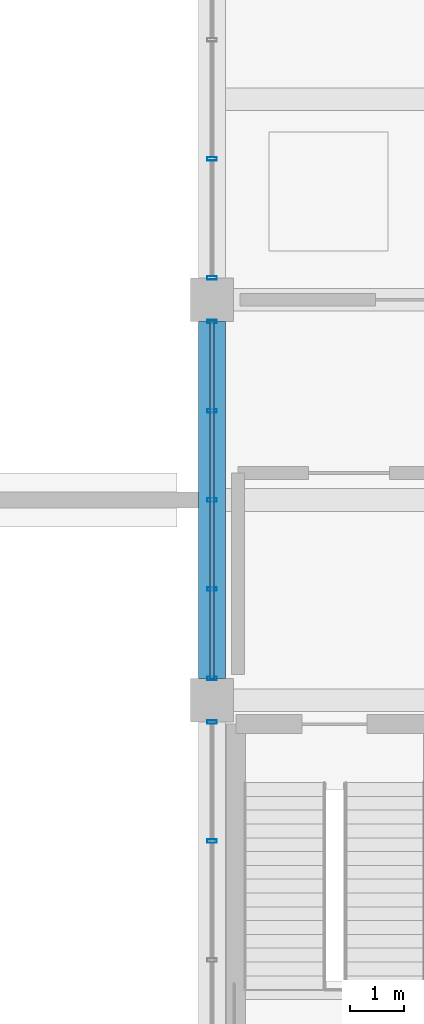
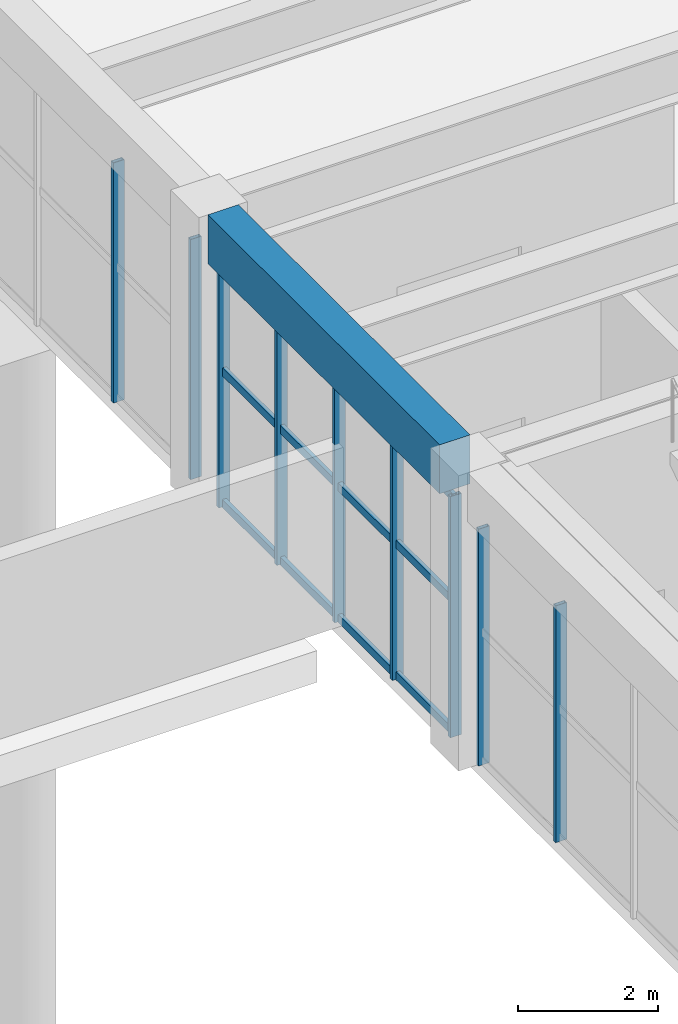
# One storey, part 71 of 140: 12 members, 1 beam, 3 elements without a shape of their own.
"""IFC4 building model written with IfcOpenShell, lengths in metres."""

import ifcopenshell
import ifcopenshell.guid

model = None  # the IFC model being written
_history = None  # IfcOwnerHistory: only IFC2X3 demands one
_inside = {}  # id of a spatial element -> (the spatial element, [elements in it])
_under = {}  # id of a project, library or spatial element -> (it, [spatial elements below it])
_declared = {}  # id of a project -> (the project, [libraries it declares])
_typed = {}  # id of a type object -> (the type object, [elements of that type])
_made_of = {}  # id of a material, layer set ... -> (it, [elements and type objects made of it])


def new_model(schema):
    """Start an empty IFC model of exactly this schema.

    Asked for "IFC4X3", IfcOpenShell would pick the latest addendum, in which some entities
    have other attributes; the version numbers below select the first issue.
    IFC2X3 requires an IfcOwnerHistory on every rooted entity: one is made here for all.
    """
    global model, _history
    if schema == "IFC4X3":
        model = ifcopenshell.file(schema_version=(4, 3, 0, 0))
    else:
        model = ifcopenshell.file(schema=schema)
    _inside.clear()
    _under.clear()
    _declared.clear()
    _typed.clear()
    _made_of.clear()
    _history = None
    if model.schema == "IFC2X3":
        org = make("IfcOrganization", Name="unknown")
        user = make(
            "IfcPersonAndOrganization",
            ThePerson=make("IfcPerson", FamilyName="unknown"),
            TheOrganization=org,
        )
        app = make(
            "IfcApplication",
            ApplicationDeveloper=org,
            Version="unknown",
            ApplicationFullName="unknown",
            ApplicationIdentifier="unknown",
        )
        _history = make(
            "IfcOwnerHistory",
            OwningUser=user,
            OwningApplication=app,
            ChangeAction="ADDED",
            CreationDate=0,
        )
    return model


def make(cls, **values):
    """One entity of the class cls with the attributes given. An attribute that is None is left unset."""
    return model.create_entity(
        cls, **{name: value for name, value in values.items() if value is not None}
    )


def rooted(cls, **values):
    """An entity with a GlobalId (a new one), such as an element, a storey or a relation."""
    return make(cls, GlobalId=ifcopenshell.guid.new(), OwnerHistory=_history, **values)


def si_unit(unit_type, name, prefix=None):
    """IfcSIUnit, for example si_unit("LENGTHUNIT", "METRE", prefix="MILLI")."""
    return make("IfcSIUnit", UnitType=unit_type, Prefix=prefix, Name=name)


def assignment(units):
    """IfcUnitAssignment: the units of a project."""
    return None if units is None else make("IfcUnitAssignment", Units=units)


def point(xyz):
    """IfcCartesianPoint."""
    return None if xyz is None else make("IfcCartesianPoint", Coordinates=xyz)


def direction(xyz):
    """IfcDirection."""
    return None if xyz is None else make("IfcDirection", DirectionRatios=xyz)


def frame(location, z_axis=None, x_axis=None):
    """IfcAxis2Placement3D, a coordinate frame: its origin and axes. An axis left out is left unset."""
    return make(
        "IfcAxis2Placement3D",
        Location=point(location),
        Axis=direction(z_axis),
        RefDirection=direction(x_axis),
    )


def frame_2d(location, x_axis=None):
    """IfcAxis2Placement2D, a coordinate frame in the plane: its origin and x axis."""
    return make(
        "IfcAxis2Placement2D", Location=point(location), RefDirection=direction(x_axis)
    )


def origin():
    """The frame at (0, 0, 0) with its axes left unset."""
    return frame((0.0, 0.0, 0.0))


def origin_2d():
    """The frame at (0, 0) in the plane with its x axis left unset."""
    return frame_2d((0.0, 0.0))


def place(relative_to, where):
    """IfcLocalPlacement: puts the frame where relative to a parent placement (None: the world)."""
    return make(
        "IfcLocalPlacement", PlacementRelTo=relative_to, RelativePlacement=where
    )


def context(
    kind, dimensions, precision=None, world=None, true_north=None, identifier=None
):
    """IfcGeometricRepresentationContext, for example the 3D "Model" context."""
    return make(
        "IfcGeometricRepresentationContext",
        ContextIdentifier=identifier,
        ContextType=kind,
        CoordinateSpaceDimension=dimensions,
        Precision=precision,
        WorldCoordinateSystem=world,
        TrueNorth=true_north,
    )


def subcontext(parent, identifier, kind, view, scale=None):
    """IfcGeometricRepresentationSubContext, for example "Body" below "Model"."""
    return make(
        "IfcGeometricRepresentationSubContext",
        ContextIdentifier=identifier,
        ContextType=kind,
        ParentContext=parent,
        TargetScale=scale,
        TargetView=view,
    )


def project(units=None, contexts=None):
    """IfcProject with its units and contexts."""
    return rooted(
        "IfcProject",
        Name="project",
        RepresentationContexts=contexts,
        UnitsInContext=assignment(units),
    )


def spatial(cls, under=None, at=None, **own):
    """A site, building, storey or space (cls), placed at a placement, below another one or the project."""
    s = rooted(cls, ObjectPlacement=at, **own)
    if under is not None:
        _under.setdefault(under.id(), (under, []))[1].append(s)
    return s


def profile(cls, at=None, kind="AREA", **sizes):
    """A parametric profile (cls). Its sizes go by their IFC names, for example OverallWidth=200.0."""
    return make(cls, ProfileType=kind, Position=at, **sizes)


def rectangle(**sizes):
    """IfcRectangleProfileDef."""
    return profile("IfcRectangleProfileDef", **sizes)


def hollow_rectangle(**sizes):
    """IfcRectangleHollowProfileDef."""
    return profile("IfcRectangleHollowProfileDef", **sizes)


def extrude(swept, where, along, depth):
    """IfcExtrudedAreaSolid: the profile swept, set in the frame where, extruded along a direction by depth."""
    return make(
        "IfcExtrudedAreaSolid",
        SweptArea=swept,
        Position=where,
        ExtrudedDirection=direction(along),
        Depth=depth,
    )


def shape(context_of_items, identifier, shape_type, items):
    """IfcShapeRepresentation: the items that make up one representation, for example the "Body"."""
    return make(
        "IfcShapeRepresentation",
        ContextOfItems=context_of_items,
        RepresentationIdentifier=identifier,
        RepresentationType=shape_type,
        Items=items,
    )


def material(Name=None, Category=None):
    """IfcMaterial."""
    return make("IfcMaterial", Name=Name, Category=Category)


def material_profile(
    of_material, cross_section, Name=None, Category=None, Priority=None
):
    """IfcMaterialProfile: a cross section and its material."""
    return make(
        "IfcMaterialProfile",
        Name=Name,
        Material=of_material,
        Profile=cross_section,
        Priority=Priority,
        Category=Category,
    )


def profile_set(profiles, Name=None, composite=None):
    """IfcMaterialProfileSet."""
    return make(
        "IfcMaterialProfileSet",
        Name=Name,
        MaterialProfiles=profiles,
        CompositeProfile=composite,
    )


def made_of(thing, what):
    """Note that an element or type object is made of a material, layer set ...; save() writes the relation."""
    if what is not None:
        _made_of.setdefault(what.id(), (what, []))[1].append(thing)
    return thing


def type_object(cls, material=None, **own):
    """A type object (cls), such as IfcWallType, which elements share."""
    return made_of(rooted(cls, **own), material)


def element(
    cls,
    number,
    at=None,
    inside=None,
    cuts=None,
    type_object=None,
    material=None,
    context=None,
    identifier="Body",
    shape_type=None,
    held_by="IfcProductDefinitionShape",
    body=None,
    shapes=None,
    **own,
):
    """One element of the class cls, such as IfcWall. Its Tag is "e" and its number.

    at: its placement. inside: the storey or other place that contains it. cuts: it is an
    opening in that element (IfcRelVoidsElement). A single representation is given by context,
    identifier, shape_type and body (its items); several are given by shapes. held_by: the class
    of the entity that holds the representations. save() writes the other relations.
    """
    e = rooted(cls, Tag="e%d" % number, ObjectPlacement=at, **own)
    if body is not None:
        shapes = [shape(context, identifier, shape_type, body)]
    if shapes is not None:
        e.Representation = make(held_by, Representations=shapes)
    if inside is not None:
        _inside.setdefault(inside.id(), (inside, []))[1].append(e)
    if cuts is not None:
        rooted(
            "IfcRelVoidsElement", RelatingBuildingElement=cuts, RelatedOpeningElement=e
        )
    if type_object is not None:
        _typed.setdefault(type_object.id(), (type_object, []))[1].append(e)
    return made_of(e, material)


def aggregate(whole, parts):
    """IfcRelAggregates: a whole, such as a stair, and the parts it consists of."""
    return rooted("IfcRelAggregates", RelatingObject=whole, RelatedObjects=parts)


def save(model, path):
    """Write the relations noted so far, then the file.

    IfcRelAggregates (storeys below a building ...), IfcRelContainedInSpatialStructure (elements
    in a storey), IfcRelDefinesByType, IfcRelAssociatesMaterial and IfcRelDeclares: one each for
    every whole, place, type object, material and project.
    """
    for whole, parts in _under.values():
        aggregate(whole, parts)
    for where, things in _inside.values():
        rooted(
            "IfcRelContainedInSpatialStructure",
            RelatedElements=things,
            RelatingStructure=where,
        )
    for kind, things in _typed.values():
        rooted("IfcRelDefinesByType", RelatedObjects=things, RelatingType=kind)
    for what, things in _made_of.values():
        rooted("IfcRelAssociatesMaterial", RelatedObjects=things, RelatingMaterial=what)
    for by, libraries in _declared.values():
        rooted("IfcRelDeclares", RelatingContext=by, RelatedDefinitions=libraries)
    model.write(path)


model = new_model("IFC4")

# Units and contexts
model_context = context("Model", 3, precision=1e-05, world=origin(), true_north=direction((0.0, 1.0)))
body_context = subcontext(model_context, "Body", "Model", "MODEL_VIEW")
ifc_project = project(units=[si_unit("LENGTHUNIT", "METRE"), si_unit("AREAUNIT", "SQUARE_METRE"), si_unit("VOLUMEUNIT", "CUBIC_METRE"), si_unit("PLANEANGLEUNIT", "RADIAN"), si_unit("MASSUNIT", "GRAM", prefix="KILO")], contexts=[model_context])

# Site, building, storey
site_placement = place(None, origin())
site = spatial("IfcSite", under=ifc_project, at=site_placement, CompositionType="ELEMENT")
building_placement = place(site_placement, origin())
building = spatial("IfcBuilding", under=site, at=building_placement, Name="Cimatlan Art Gallery", CompositionType="ELEMENT")
storey_placement = place(building_placement, origin())
storey = spatial("IfcBuildingStorey", under=building, at=storey_placement, Name="L00", CompositionType="ELEMENT", Elevation=0.0)

# Beam
ifc_material_1 = material(Name="Concrete C40/50", Category="concrete")
ifc_material_profile_1 = material_profile(ifc_material_1, rectangle(XDim=0.5, YDim=0.85009765625, at=origin_2d()), Name="RC500X850")
ifc_profile_set_1 = profile_set([ifc_material_profile_1], Name="Concrete C40/50")
beam_type = type_object("IfcBeamType", Name="BM-RC-500X850", PredefinedType="BEAM", material=ifc_profile_set_1)
beam_placement = place(storey_placement, frame((74.89990234375, 68.699951171875, 4.7099609375), z_axis=(0.0, 1.0, 0.0), x_axis=(-1.0, 0.0, 0.0)))
element("IfcBeam", 1, at=beam_placement, inside=storey, type_object=beam_type, Name="BM-Y-L00-09-09", PredefinedType="BEAM", context=body_context, shape_type="SweptSolid", body=[
    extrude(rectangle(XDim=0.5, YDim=0.85009765625, at=origin_2d()), origin(), (0.0, 0.0, 1.0), 6.60009765625),
])

# Curtain wall, members
ifc_material_2 = material(Name="Anodised bronze unitised curtain wall")
curtain_wall_type_1 = type_object("IfcCurtainWallType", Name="CW-V-06592X04118-B3", PredefinedType="NOTDEFINED", material=ifc_material_2)
curtain_wall_1_placement = place(storey_placement, origin())
curtain_wall_1 = element("IfcCurtainWall", 2, at=curtain_wall_1_placement, inside=storey, type_object=curtain_wall_type_1, Name="CW-L00-09-08-W", PredefinedType="NOTDEFINED")
ifc_material_3 = material(Name="Anodised bronze aluminium 6063-T6", Category="aluminium")
ifc_material_profile_2 = material_profile(ifc_material_3, hollow_rectangle(XDim=0.06494140625, YDim=0.179931640625, WallThickness=0.00390625, at=origin_2d()), Name="ALU65X180X4")
ifc_profile_set_2 = profile_set([ifc_material_profile_2], Name="Anodised bronze aluminium 6063-T6")
member_type_1 = type_object("IfcMemberType", Name="CW-MUL-180", PredefinedType="MULLION", material=ifc_profile_set_2)
member_1_placement = place(storey_placement, frame((74.89990234375, 65.69873046875, 0.0), z_axis=(0.0, 0.0, 1.0), x_axis=(0.0, 1.0, 0.0)))
member_1 = element("IfcMember", 3, at=member_1_placement, type_object=member_type_1, Name="CW-L00-09-08-W-M3", PredefinedType="MULLION", context=body_context, shape_type="SweptSolid", body=[
    extrude(hollow_rectangle(XDim=0.06494140625, YDim=0.179931640625, WallThickness=0.00390625, at=origin_2d()), origin(), (0.0, 0.0, 1.0), 4.117919921875),
])
member_2_placement = place(storey_placement, frame((74.89990234375, 67.89599609375, 0.0), z_axis=(0.0, 0.0, 1.0), x_axis=(0.0, 1.0, 0.0)))
member_2 = element("IfcMember", 4, at=member_2_placement, type_object=member_type_1, Name="CW-L00-09-08-W-M4", PredefinedType="MULLION", context=body_context, shape_type="SweptSolid", body=[
    extrude(hollow_rectangle(XDim=0.06494140625, YDim=0.179931640625, WallThickness=0.00390625, at=origin_2d()), origin(), (0.0, 0.0, 1.0), 4.117919921875),
])
aggregate(curtain_wall_1, [member_1, member_2])

curtain_wall_type_2 = type_object("IfcCurtainWallType", Name="CW-V-06592X04193-B4", PredefinedType="NOTDEFINED", material=ifc_material_2)
curtain_wall_2_placement = place(storey_placement, origin())
curtain_wall_2 = element("IfcCurtainWall", 5, at=curtain_wall_2_placement, inside=storey, type_object=curtain_wall_type_2, Name="CW-L00-09-09-W", PredefinedType="NOTDEFINED")
member_3_placement = place(storey_placement, frame((74.89990234375, 68.7041015625, 0.0), z_axis=(0.0, 0.0, 1.0), x_axis=(0.0, 1.0, 0.0)))
member_3 = element("IfcMember", 6, at=member_3_placement, type_object=member_type_1, Name="CW-L00-09-09-W-M1", PredefinedType="MULLION", context=body_context, shape_type="SweptSolid", body=[
    extrude(hollow_rectangle(XDim=0.06494140625, YDim=0.179931640625, WallThickness=0.00390625, at=origin_2d()), origin(), (0.0, 0.0, 1.0), 4.193115234375),
])
member_4_placement = place(storey_placement, frame((74.89990234375, 70.35205078125, 0.0), z_axis=(0.0, 0.0, 1.0), x_axis=(0.0, 1.0, 0.0)))
member_4 = element("IfcMember", 7, at=member_4_placement, type_object=member_type_1, Name="CW-L00-09-09-W-M2", PredefinedType="MULLION", context=body_context, shape_type="SweptSolid", body=[
    extrude(hollow_rectangle(XDim=0.06494140625, YDim=0.179931640625, WallThickness=0.00390625, at=origin_2d()), origin(), (0.0, 0.0, 1.0), 4.193115234375),
])
member_5_placement = place(storey_placement, frame((74.89990234375, 72.0, 0.0), z_axis=(0.0, 0.0, 1.0), x_axis=(0.0, 1.0, 0.0)))
member_5 = element("IfcMember", 8, at=member_5_placement, type_object=member_type_1, Name="CW-L00-09-09-W-M3", PredefinedType="MULLION", context=body_context, shape_type="SweptSolid", body=[
    extrude(hollow_rectangle(XDim=0.06494140625, YDim=0.179931640625, WallThickness=0.00390625, at=origin_2d()), origin(), (0.0, 0.0, 1.0), 4.193115234375),
])
member_6_placement = place(storey_placement, frame((74.89990234375, 73.64794921875, 0.0), z_axis=(0.0, 0.0, 1.0), x_axis=(0.0, 1.0, 0.0)))
member_6 = element("IfcMember", 9, at=member_6_placement, type_object=member_type_1, Name="CW-L00-09-09-W-M4", PredefinedType="MULLION", context=body_context, shape_type="SweptSolid", body=[
    extrude(hollow_rectangle(XDim=0.06494140625, YDim=0.179931640625, WallThickness=0.00390625, at=origin_2d()), origin(), (0.0, 0.0, 1.0), 4.193115234375),
])
member_7_placement = place(storey_placement, frame((74.89990234375, 75.2958984375, 0.0), z_axis=(0.0, 0.0, 1.0), x_axis=(0.0, 1.0, 0.0)))
member_7 = element("IfcMember", 10, at=member_7_placement, type_object=member_type_1, Name="CW-L00-09-09-W-M5", PredefinedType="MULLION", context=body_context, shape_type="SweptSolid", body=[
    extrude(hollow_rectangle(XDim=0.06494140625, YDim=0.179931640625, WallThickness=0.00390625, at=origin_2d()), origin(), (0.0, 0.0, 1.0), 4.193115234375),
])

curtain_wall_type_3 = type_object("IfcCurtainWallType", Name="CW-V-06592X04178-B3", PredefinedType="NOTDEFINED", material=ifc_material_2)
curtain_wall_3_placement = place(storey_placement, origin())
curtain_wall_3 = element("IfcCurtainWall", 11, at=curtain_wall_3_placement, inside=storey, type_object=curtain_wall_type_3, Name="CW-L00-09-10-W", PredefinedType="NOTDEFINED")
member_8_placement = place(storey_placement, frame((74.89990234375, 76.10400390625, 0.0), z_axis=(0.0, 0.0, 1.0), x_axis=(0.0, 1.0, 0.0)))
member_8 = element("IfcMember", 12, at=member_8_placement, type_object=member_type_1, Name="CW-L00-09-10-W-M1", PredefinedType="MULLION", context=body_context, shape_type="SweptSolid", body=[
    extrude(hollow_rectangle(XDim=0.06494140625, YDim=0.179931640625, WallThickness=0.00390625, at=origin_2d()), origin(), (0.0, 0.0, 1.0), 4.177978515625),
])
member_9_placement = place(storey_placement, frame((74.89990234375, 78.30126953125, 0.0), z_axis=(0.0, 0.0, 1.0), x_axis=(0.0, 1.0, 0.0)))
member_9 = element("IfcMember", 13, at=member_9_placement, type_object=member_type_1, Name="CW-L00-09-10-W-M2", PredefinedType="MULLION", context=body_context, shape_type="SweptSolid", body=[
    extrude(hollow_rectangle(XDim=0.06494140625, YDim=0.179931640625, WallThickness=0.00390625, at=origin_2d()), origin(), (0.0, 0.0, 1.0), 4.177978515625),
])
aggregate(curtain_wall_3, [member_8, member_9])

# Member
ifc_material_profile_3 = material_profile(ifc_material_3, hollow_rectangle(XDim=0.06494140625, YDim=0.139892578125, WallThickness=0.00390625, at=origin_2d()), Name="ALU65X140X4")
ifc_profile_set_3 = profile_set([ifc_material_profile_3], Name="Anodised bronze aluminium 6063-T6")
member_type_2 = type_object("IfcMemberType", Name="CW-TRN-140", PredefinedType="USERDEFINED", material=ifc_profile_set_3)
member_10_placement = place(storey_placement, frame((74.89990234375, 68.7041015625, 0.06005859375), z_axis=(0.0, 1.0, 0.0), x_axis=(-1.0, 0.0, 0.0)))
member_10 = element("IfcMember", 14, at=member_10_placement, type_object=member_type_2, Name="CW-L00-09-09-W-T1", ObjectType="TRANSOM", PredefinedType="USERDEFINED", context=body_context, shape_type="SweptSolid", body=[
    extrude(hollow_rectangle(XDim=0.06494140625, YDim=0.139892578125, WallThickness=0.00390625, at=origin_2d()), origin(), (0.0, 0.0, 1.0), 6.591796875),
])

member_11_placement = place(storey_placement, frame((74.89990234375, 68.7041015625, 2.34814453125), z_axis=(0.0, 1.0, 0.0), x_axis=(-1.0, 0.0, 0.0)))
member_11 = element("IfcMember", 15, at=member_11_placement, type_object=member_type_2, Name="CW-L00-09-09-W-T2", ObjectType="TRANSOM", PredefinedType="USERDEFINED", context=body_context, shape_type="SweptSolid", body=[
    extrude(hollow_rectangle(XDim=0.06494140625, YDim=0.139892578125, WallThickness=0.00390625, at=origin_2d()), origin(), (0.0, 0.0, 1.0), 6.591796875),
])

member_12_placement = place(storey_placement, frame((74.89990234375, 68.7041015625, 4.133056640625), z_axis=(0.0, 1.0, 0.0), x_axis=(-1.0, 0.0, 0.0)))
member_12 = element("IfcMember", 16, at=member_12_placement, type_object=member_type_2, Name="CW-L00-09-09-W-T3", ObjectType="TRANSOM", PredefinedType="USERDEFINED", context=body_context, shape_type="SweptSolid", body=[
    extrude(hollow_rectangle(XDim=0.06494140625, YDim=0.139892578125, WallThickness=0.00390625, at=origin_2d()), origin(), (0.0, 0.0, 1.0), 6.591796875),
])

aggregate(curtain_wall_2, [member_3, member_4, member_5, member_6, member_7, member_10, member_11, member_12])

save(model, "model.ifc")
